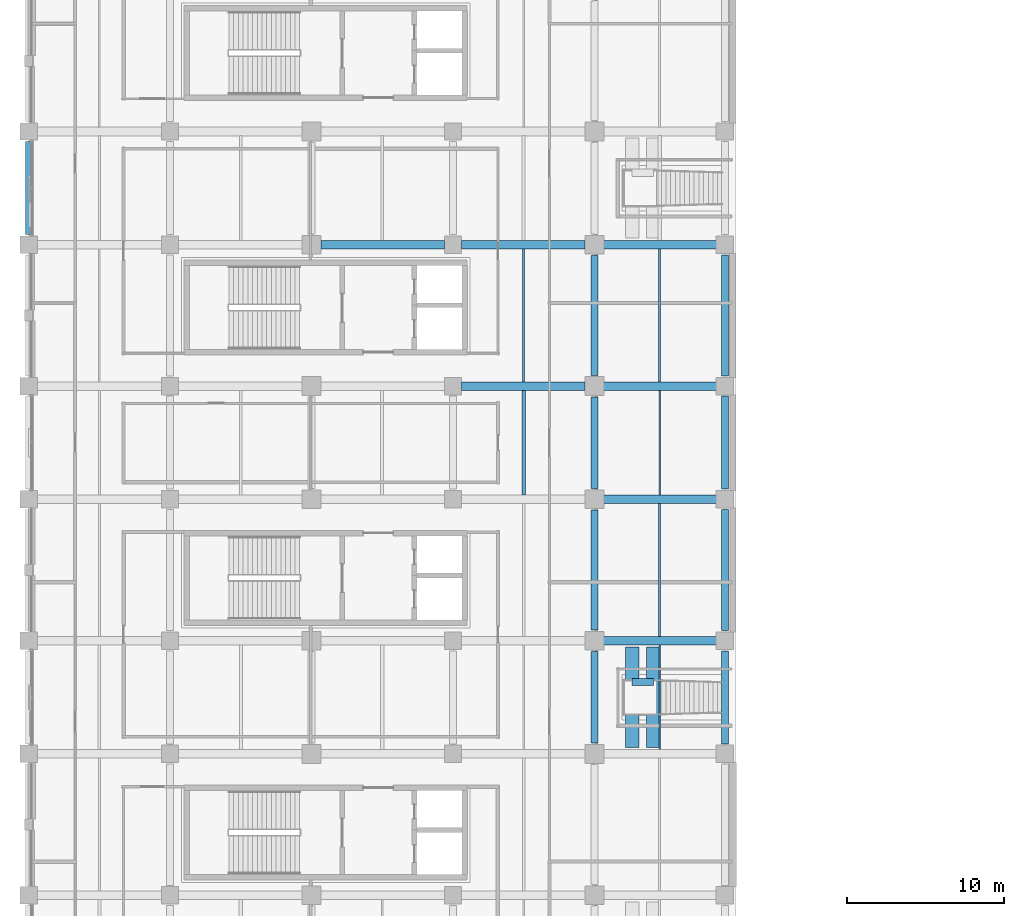
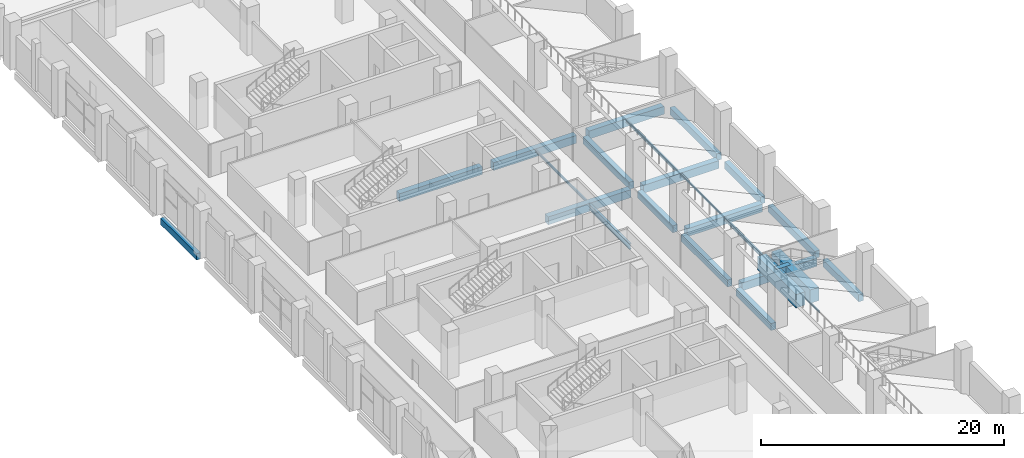
# One storey, part 15 of 100: 25 beams.
"""IFC4 building model written with IfcOpenShell, lengths in metres."""

import ifcopenshell
import ifcopenshell.guid

model = None  # the IFC model being written
_history = None  # IfcOwnerHistory: only IFC2X3 demands one
_inside = {}  # id of a spatial element -> (the spatial element, [elements in it])
_under = {}  # id of a project, library or spatial element -> (it, [spatial elements below it])
_declared = {}  # id of a project -> (the project, [libraries it declares])
_typed = {}  # id of a type object -> (the type object, [elements of that type])
_made_of = {}  # id of a material, layer set ... -> (it, [elements and type objects made of it])


def new_model(schema):
    """Start an empty IFC model of exactly this schema.

    Asked for "IFC4X3", IfcOpenShell would pick the latest addendum, in which some entities
    have other attributes; the version numbers below select the first issue.
    IFC2X3 requires an IfcOwnerHistory on every rooted entity: one is made here for all.
    """
    global model, _history
    if schema == "IFC4X3":
        model = ifcopenshell.file(schema_version=(4, 3, 0, 0))
    else:
        model = ifcopenshell.file(schema=schema)
    _inside.clear()
    _under.clear()
    _declared.clear()
    _typed.clear()
    _made_of.clear()
    _history = None
    if model.schema == "IFC2X3":
        org = make("IfcOrganization", Name="unknown")
        user = make(
            "IfcPersonAndOrganization",
            ThePerson=make("IfcPerson", FamilyName="unknown"),
            TheOrganization=org,
        )
        app = make(
            "IfcApplication",
            ApplicationDeveloper=org,
            Version="unknown",
            ApplicationFullName="unknown",
            ApplicationIdentifier="unknown",
        )
        _history = make(
            "IfcOwnerHistory",
            OwningUser=user,
            OwningApplication=app,
            ChangeAction="ADDED",
            CreationDate=0,
        )
    return model


def make(cls, **values):
    """One entity of the class cls with the attributes given. An attribute that is None is left unset."""
    return model.create_entity(
        cls, **{name: value for name, value in values.items() if value is not None}
    )


def rooted(cls, **values):
    """An entity with a GlobalId (a new one), such as an element, a storey or a relation."""
    return make(cls, GlobalId=ifcopenshell.guid.new(), OwnerHistory=_history, **values)


def si_unit(unit_type, name, prefix=None):
    """IfcSIUnit, for example si_unit("LENGTHUNIT", "METRE", prefix="MILLI")."""
    return make("IfcSIUnit", UnitType=unit_type, Prefix=prefix, Name=name)


def assignment(units):
    """IfcUnitAssignment: the units of a project."""
    return None if units is None else make("IfcUnitAssignment", Units=units)


def point(xyz):
    """IfcCartesianPoint."""
    return None if xyz is None else make("IfcCartesianPoint", Coordinates=xyz)


def direction(xyz):
    """IfcDirection."""
    return None if xyz is None else make("IfcDirection", DirectionRatios=xyz)


def frame(location, z_axis=None, x_axis=None):
    """IfcAxis2Placement3D, a coordinate frame: its origin and axes. An axis left out is left unset."""
    return make(
        "IfcAxis2Placement3D",
        Location=point(location),
        Axis=direction(z_axis),
        RefDirection=direction(x_axis),
    )


def frame_2d(location, x_axis=None):
    """IfcAxis2Placement2D, a coordinate frame in the plane: its origin and x axis."""
    return make(
        "IfcAxis2Placement2D", Location=point(location), RefDirection=direction(x_axis)
    )


def origin():
    """The frame at (0, 0, 0) with its axes left unset."""
    return frame((0.0, 0.0, 0.0))


def origin_2d():
    """The frame at (0, 0) in the plane with its x axis left unset."""
    return frame_2d((0.0, 0.0))


def place(relative_to, where):
    """IfcLocalPlacement: puts the frame where relative to a parent placement (None: the world)."""
    return make(
        "IfcLocalPlacement", PlacementRelTo=relative_to, RelativePlacement=where
    )


def context(
    kind, dimensions, precision=None, world=None, true_north=None, identifier=None
):
    """IfcGeometricRepresentationContext, for example the 3D "Model" context."""
    return make(
        "IfcGeometricRepresentationContext",
        ContextIdentifier=identifier,
        ContextType=kind,
        CoordinateSpaceDimension=dimensions,
        Precision=precision,
        WorldCoordinateSystem=world,
        TrueNorth=true_north,
    )


def subcontext(parent, identifier, kind, view, scale=None):
    """IfcGeometricRepresentationSubContext, for example "Body" below "Model"."""
    return make(
        "IfcGeometricRepresentationSubContext",
        ContextIdentifier=identifier,
        ContextType=kind,
        ParentContext=parent,
        TargetScale=scale,
        TargetView=view,
    )


def project(units=None, contexts=None):
    """IfcProject with its units and contexts."""
    return rooted(
        "IfcProject",
        Name="project",
        RepresentationContexts=contexts,
        UnitsInContext=assignment(units),
    )


def spatial(cls, under=None, at=None, **own):
    """A site, building, storey or space (cls), placed at a placement, below another one or the project."""
    s = rooted(cls, ObjectPlacement=at, **own)
    if under is not None:
        _under.setdefault(under.id(), (under, []))[1].append(s)
    return s


def profile(cls, at=None, kind="AREA", **sizes):
    """A parametric profile (cls). Its sizes go by their IFC names, for example OverallWidth=200.0."""
    return make(cls, ProfileType=kind, Position=at, **sizes)


def rectangle(**sizes):
    """IfcRectangleProfileDef."""
    return profile("IfcRectangleProfileDef", **sizes)


def hollow_rectangle(**sizes):
    """IfcRectangleHollowProfileDef."""
    return profile("IfcRectangleHollowProfileDef", **sizes)


def i_section(**sizes):
    """IfcIShapeProfileDef."""
    return profile("IfcIShapeProfileDef", **sizes)


def extrude(swept, where, along, depth):
    """IfcExtrudedAreaSolid: the profile swept, set in the frame where, extruded along a direction by depth."""
    return make(
        "IfcExtrudedAreaSolid",
        SweptArea=swept,
        Position=where,
        ExtrudedDirection=direction(along),
        Depth=depth,
    )


def shape(context_of_items, identifier, shape_type, items):
    """IfcShapeRepresentation: the items that make up one representation, for example the "Body"."""
    return make(
        "IfcShapeRepresentation",
        ContextOfItems=context_of_items,
        RepresentationIdentifier=identifier,
        RepresentationType=shape_type,
        Items=items,
    )


def material(Name=None, Category=None):
    """IfcMaterial."""
    return make("IfcMaterial", Name=Name, Category=Category)


def material_profile(
    of_material, cross_section, Name=None, Category=None, Priority=None
):
    """IfcMaterialProfile: a cross section and its material."""
    return make(
        "IfcMaterialProfile",
        Name=Name,
        Material=of_material,
        Profile=cross_section,
        Priority=Priority,
        Category=Category,
    )


def profile_set(profiles, Name=None, composite=None):
    """IfcMaterialProfileSet."""
    return make(
        "IfcMaterialProfileSet",
        Name=Name,
        MaterialProfiles=profiles,
        CompositeProfile=composite,
    )


def made_of(thing, what):
    """Note that an element or type object is made of a material, layer set ...; save() writes the relation."""
    if what is not None:
        _made_of.setdefault(what.id(), (what, []))[1].append(thing)
    return thing


def type_object(cls, material=None, **own):
    """A type object (cls), such as IfcWallType, which elements share."""
    return made_of(rooted(cls, **own), material)


def element(
    cls,
    number,
    at=None,
    inside=None,
    cuts=None,
    type_object=None,
    material=None,
    context=None,
    identifier="Body",
    shape_type=None,
    held_by="IfcProductDefinitionShape",
    body=None,
    shapes=None,
    **own,
):
    """One element of the class cls, such as IfcWall. Its Tag is "e" and its number.

    at: its placement. inside: the storey or other place that contains it. cuts: it is an
    opening in that element (IfcRelVoidsElement). A single representation is given by context,
    identifier, shape_type and body (its items); several are given by shapes. held_by: the class
    of the entity that holds the representations. save() writes the other relations.
    """
    e = rooted(cls, Tag="e%d" % number, ObjectPlacement=at, **own)
    if body is not None:
        shapes = [shape(context, identifier, shape_type, body)]
    if shapes is not None:
        e.Representation = make(held_by, Representations=shapes)
    if inside is not None:
        _inside.setdefault(inside.id(), (inside, []))[1].append(e)
    if cuts is not None:
        rooted(
            "IfcRelVoidsElement", RelatingBuildingElement=cuts, RelatedOpeningElement=e
        )
    if type_object is not None:
        _typed.setdefault(type_object.id(), (type_object, []))[1].append(e)
    return made_of(e, material)


def aggregate(whole, parts):
    """IfcRelAggregates: a whole, such as a stair, and the parts it consists of."""
    return rooted("IfcRelAggregates", RelatingObject=whole, RelatedObjects=parts)


def save(model, path):
    """Write the relations noted so far, then the file.

    IfcRelAggregates (storeys below a building ...), IfcRelContainedInSpatialStructure (elements
    in a storey), IfcRelDefinesByType, IfcRelAssociatesMaterial and IfcRelDeclares: one each for
    every whole, place, type object, material and project.
    """
    for whole, parts in _under.values():
        aggregate(whole, parts)
    for where, things in _inside.values():
        rooted(
            "IfcRelContainedInSpatialStructure",
            RelatedElements=things,
            RelatingStructure=where,
        )
    for kind, things in _typed.values():
        rooted("IfcRelDefinesByType", RelatedObjects=things, RelatingType=kind)
    for what, things in _made_of.values():
        rooted("IfcRelAssociatesMaterial", RelatedObjects=things, RelatingMaterial=what)
    for by, libraries in _declared.values():
        rooted("IfcRelDeclares", RelatingContext=by, RelatedDefinitions=libraries)
    model.write(path)


model = new_model("IFC4")

# Units and contexts
model_context = context("Model", 3, precision=1e-05, world=origin(), true_north=direction((0.0, 1.0)))
body_context = subcontext(model_context, "Body", "Model", "MODEL_VIEW")
ifc_project = project(units=[si_unit("LENGTHUNIT", "METRE"), si_unit("AREAUNIT", "SQUARE_METRE"), si_unit("VOLUMEUNIT", "CUBIC_METRE"), si_unit("PLANEANGLEUNIT", "RADIAN"), si_unit("MASSUNIT", "GRAM", prefix="KILO"), si_unit("THERMODYNAMICTEMPERATUREUNIT", "KELVIN"), si_unit("POWERUNIT", "WATT")], contexts=[model_context])

# Site, building, storey
site_placement = place(None, origin())
site = spatial("IfcSite", under=ifc_project, at=site_placement, CompositionType="ELEMENT")
building_placement = place(site_placement, origin())
building = spatial("IfcBuilding", under=site, at=building_placement, Name="Sindhuravela Promenade Stadium", CompositionType="ELEMENT")
storey_placement = place(building_placement, frame((0.0, 0.0, 4.800048828125)))
storey = spatial("IfcBuildingStorey", under=building, at=storey_placement, Name="L01", CompositionType="ELEMENT", Elevation=4.800048828125)

# Beams
ifc_material_1 = material(Name="Concrete M40", Category="concrete")
ifc_material_profile_1 = material_profile(ifc_material_1, rectangle(XDim=0.39990234375, YDim=0.64990234375, at=origin_2d()), Name="RC 400x650")
ifc_profile_set_1 = profile_set([ifc_material_profile_1], Name="Concrete M40")
beam_type_1 = type_object("IfcBeamType", Name="RC-BM-400x650", PredefinedType="SPANDREL", material=ifc_profile_set_1)
beam_1_placement = place(storey_placement, frame((0.0, 94.239990234375, -0.625), z_axis=(0.0, 1.0, 0.0), x_axis=(-1.0, 0.0, 0.0)))
element("IfcBeam", 1, at=beam_1_placement, inside=storey, type_object=beam_type_1, Name="Primary beam SP01 WEST L01", PredefinedType="SPANDREL", context=body_context, shape_type="SweptSolid", body=[
    extrude(rectangle(XDim=0.39990234375, YDim=0.64990234375, at=origin_2d()), origin(), (0.0, 0.0, 1.0), 5.919921875),
])
ifc_material_profile_2 = material_profile(ifc_material_1, rectangle(XDim=0.449951171875, YDim=0.699951171875, at=origin_2d()), Name="RC 450x700")
ifc_profile_set_2 = profile_set([ifc_material_profile_2], Name="Concrete M40")
beam_type_2 = type_object("IfcBeamType", Name="RC-BM-450x700", PredefinedType="BEAM", material=ifc_profile_set_2)
beam_2_placement = place(storey_placement, frame((36.0, 61.889892578125, -0.650146484375), z_axis=(0.0, 1.0, 0.0), x_axis=(-1.0, 0.0, 0.0)))
element("IfcBeam", 2, at=beam_2_placement, inside=storey, type_object=beam_type_2, Name="Primary beam GB07 WEST L01", PredefinedType="BEAM", context=body_context, shape_type="SweptSolid", body=[
    extrude(rectangle(XDim=0.449951171875, YDim=0.699951171875, at=origin_2d()), origin(), (0.0, 0.0, 1.0), 5.820068359375),
])
beam_3_placement = place(storey_placement, frame((36.0, 69.090087890625, -0.650146484375), z_axis=(0.0, 1.0, 0.0), x_axis=(-1.0, 0.0, 0.0)))
element("IfcBeam", 3, at=beam_3_placement, inside=storey, type_object=beam_type_2, Name="Primary beam GB07 WEST L01", PredefinedType="BEAM", context=body_context, shape_type="SweptSolid", body=[
    extrude(rectangle(XDim=0.449951171875, YDim=0.699951171875, at=origin_2d()), origin(), (0.0, 0.0, 1.0), 7.619873046875),
])
beam_4_placement = place(storey_placement, frame((36.0, 78.090087890625, -0.650146484375), z_axis=(0.0, 1.0, 0.0), x_axis=(-1.0, 0.0, 0.0)))
element("IfcBeam", 4, at=beam_4_placement, inside=storey, type_object=beam_type_2, Name="Primary beam GB07 WEST L01", PredefinedType="BEAM", context=body_context, shape_type="SweptSolid", body=[
    extrude(rectangle(XDim=0.449951171875, YDim=0.699951171875, at=origin_2d()), origin(), (0.0, 0.0, 1.0), 5.81982421875),
])
beam_5_placement = place(storey_placement, frame((36.0, 85.2900390625, -0.650146484375), z_axis=(0.0, 1.0, 0.0), x_axis=(-1.0, 0.0, 0.0)))
element("IfcBeam", 5, at=beam_5_placement, inside=storey, type_object=beam_type_2, Name="Primary beam GB07 WEST L01", PredefinedType="BEAM", context=body_context, shape_type="SweptSolid", body=[
    extrude(rectangle(XDim=0.449951171875, YDim=0.699951171875, at=origin_2d()), origin(), (0.0, 0.0, 1.0), 7.619873046875),
])
beam_6_placement = place(storey_placement, frame((44.300048828125, 61.840087890625, -0.650146484375), z_axis=(0.0, 1.0, 0.0), x_axis=(-1.0, 0.0, 0.0)))
element("IfcBeam", 6, at=beam_6_placement, inside=storey, type_object=beam_type_2, Name="Primary beam GB07 WEST L01", PredefinedType="BEAM", context=body_context, shape_type="SweptSolid", body=[
    extrude(rectangle(XDim=0.449951171875, YDim=0.699951171875, at=origin_2d()), origin(), (0.0, 0.0, 1.0), 5.919921875),
])
beam_7_placement = place(storey_placement, frame((44.300048828125, 69.0400390625, -0.650146484375), z_axis=(0.0, 1.0, 0.0), x_axis=(-1.0, 0.0, 0.0)))
element("IfcBeam", 7, at=beam_7_placement, inside=storey, type_object=beam_type_2, Name="Primary beam GB07 WEST L01", PredefinedType="BEAM", context=body_context, shape_type="SweptSolid", body=[
    extrude(rectangle(XDim=0.449951171875, YDim=0.699951171875, at=origin_2d()), origin(), (0.0, 0.0, 1.0), 7.719970703125),
])
beam_8_placement = place(storey_placement, frame((44.300048828125, 78.0400390625, -0.650146484375), z_axis=(0.0, 1.0, 0.0), x_axis=(-1.0, 0.0, 0.0)))
element("IfcBeam", 8, at=beam_8_placement, inside=storey, type_object=beam_type_2, Name="Primary beam GB07 WEST L01", PredefinedType="BEAM", context=body_context, shape_type="SweptSolid", body=[
    extrude(rectangle(XDim=0.449951171875, YDim=0.699951171875, at=origin_2d()), origin(), (0.0, 0.0, 1.0), 5.919921875),
])
beam_9_placement = place(storey_placement, frame((44.300048828125, 85.239990234375, -0.650146484375), z_axis=(0.0, 1.0, 0.0), x_axis=(-1.0, 0.0, 0.0)))
element("IfcBeam", 9, at=beam_9_placement, inside=storey, type_object=beam_type_2, Name="Primary beam GB07 WEST L01", PredefinedType="BEAM", context=body_context, shape_type="SweptSolid", body=[
    extrude(rectangle(XDim=0.449951171875, YDim=0.699951171875, at=origin_2d()), origin(), (0.0, 0.0, 1.0), 7.719970703125),
])
beam_10_placement = place(storey_placement, frame((39.75, 65.780029296875, 1.655029296875), z_axis=(-1.0, 0.0, 0.0), x_axis=(0.0, -1.0, 0.0)))
element("IfcBeam", 10, at=beam_10_placement, inside=storey, type_object=beam_type_2, Name="Vomitory VS02 landing edge stringer", PredefinedType="BEAM", context=body_context, shape_type="SweptSolid", body=[
    extrude(rectangle(XDim=0.449951171875, YDim=0.699951171875, at=origin_2d()), origin(), (0.0, 0.0, 1.0), 1.35009765625),
])
ifc_material_profile_3 = material_profile(ifc_material_1, rectangle(XDim=0.550048828125, YDim=0.800048828125, at=origin_2d()), Name="RC 550x800")
ifc_profile_set_3 = profile_set([ifc_material_profile_3], Name="Concrete M40")
beam_type_3 = type_object("IfcBeamType", Name="RC-BM-550x800", PredefinedType="BEAM", material=ifc_profile_set_3)
for number, where, z_axis, x_axis, name in (
    (11, (36.590087890625, 68.39990234375, -0.699951171875), (1.0, 0.0, 0.0), (0.0, 1.0, 0.0), "Primary girder GB05 WEST L01"),
    (12, (36.590087890625, 77.39990234375, -0.699951171875), (1.0, 0.0, 0.0), (0.0, 1.0, 0.0), "Primary girder GB05 WEST L01"),
):
    element("IfcBeam", number, at=place(storey_placement, frame(where, z_axis=z_axis, x_axis=x_axis)), inside=storey, type_object=beam_type_3, Name=name, PredefinedType="BEAM", context=body_context, shape_type="SweptSolid", body=[
        extrude(rectangle(XDim=0.550048828125, YDim=0.800048828125, at=origin_2d()), origin(), (0.0, 0.0, 1.0), 7.169921875),
    ])
beam_11_placement = place(storey_placement, frame((27.5400390625, 84.60009765625, -0.699951171875), z_axis=(1.0, 0.0, 0.0), x_axis=(0.0, 1.0, 0.0)))
element("IfcBeam", 13, at=beam_11_placement, inside=storey, type_object=beam_type_3, Name="Primary girder GB05 WEST L01", PredefinedType="BEAM", context=body_context, shape_type="SweptSolid", body=[
    extrude(rectangle(XDim=0.550048828125, YDim=0.800048828125, at=origin_2d()), origin(), (0.0, 0.0, 1.0), 7.869873046875),
])
beam_12_placement = place(storey_placement, frame((36.590087890625, 84.60009765625, -0.699951171875), z_axis=(1.0, 0.0, 0.0), x_axis=(0.0, 1.0, 0.0)))
element("IfcBeam", 14, at=beam_12_placement, inside=storey, type_object=beam_type_3, Name="Primary girder GB05 WEST L01", PredefinedType="BEAM", context=body_context, shape_type="SweptSolid", body=[
    extrude(rectangle(XDim=0.550048828125, YDim=0.800048828125, at=origin_2d()), origin(), (0.0, 0.0, 1.0), 7.169921875),
])
for number, where, z_axis, x_axis, name in (
    (15, (18.590087890625, 93.60009765625, -0.699951171875), (1.0, 0.0, 0.0), (0.0, 1.0, 0.0), "Primary girder GB05 WEST L01"),
    (16, (27.5400390625, 93.60009765625, -0.699951171875), (1.0, 0.0, 0.0), (0.0, 1.0, 0.0), "Primary girder GB05 WEST L01"),
):
    element("IfcBeam", number, at=place(storey_placement, frame(where, z_axis=z_axis, x_axis=x_axis)), inside=storey, type_object=beam_type_3, Name=name, PredefinedType="BEAM", context=body_context, shape_type="SweptSolid", body=[
        extrude(rectangle(XDim=0.550048828125, YDim=0.800048828125, at=origin_2d()), origin(), (0.0, 0.0, 1.0), 7.869873046875),
    ])
beam_13_placement = place(storey_placement, frame((36.590087890625, 93.60009765625, -0.699951171875), z_axis=(1.0, 0.0, 0.0), x_axis=(0.0, 1.0, 0.0)))
element("IfcBeam", 17, at=beam_13_placement, inside=storey, type_object=beam_type_3, Name="Primary girder GB05 WEST L01", PredefinedType="BEAM", context=body_context, shape_type="SweptSolid", body=[
    extrude(rectangle(XDim=0.550048828125, YDim=0.800048828125, at=origin_2d()), origin(), (0.0, 0.0, 1.0), 7.169921875),
])
ifc_material_2 = material(Name="Concrete M50", Category="concrete")
ifc_material_profile_4 = material_profile(ifc_material_2, rectangle(XDim=0.85009765625, YDim=1.35009765625, at=origin_2d()), Name="RC 850x1350")
ifc_profile_set_4 = profile_set([ifc_material_profile_4], Name="Concrete M50")
beam_type_4 = type_object("IfcBeamType", Name="RC-RK-850x1350", PredefinedType="USERDEFINED", material=ifc_profile_set_4)
for number, where, z_axis, x_axis, name in (
    (18, (39.75, 61.614990234375, 1.329833984375), (0.0, 1.0, 0.0), (-1.0, 0.0, 0.0), "Vomitory VS02 landing trimmer beam 1"),
    (19, (38.39990234375, 61.614990234375, 1.329833984375), (0.0, 1.0, 0.0), (-1.0, 0.0, 0.0), "Vomitory VS02 landing trimmer beam 2"),
):
    element("IfcBeam", number, at=place(storey_placement, frame(where, z_axis=z_axis, x_axis=x_axis)), inside=storey, type_object=beam_type_4, Name=name, ObjectType="RAKER", PredefinedType="USERDEFINED", context=body_context, shape_type="SweptSolid", body=[
        extrude(rectangle(XDim=0.85009765625, YDim=1.35009765625, at=origin_2d()), origin(), (0.0, 0.0, 1.0), 6.3701171875),
    ])
ifc_material_3 = material(Name="Steel E350 (IS 2062 E350BR)", Category="steel")
ifc_material_profile_5 = material_profile(ifc_material_3, hollow_rectangle(XDim=0.10009765625, YDim=0.199951171875, WallThickness=0.008056640625, at=origin_2d()), Name="RHS 200x100x8")
ifc_profile_set_5 = profile_set([ifc_material_profile_5], Name="Steel E350 (IS 2062 E350BR)")
beam_type_5 = type_object("IfcBeamType", Name="ST-BM-LNT200", PredefinedType="LINTEL", material=ifc_profile_set_5)
beam_14_placement = place(storey_placement, frame((40.14990234375, 77.6650390625, -0.400146484375), z_axis=(0.0, 1.0, 0.0), x_axis=(-1.0, 0.0, 0.0)))
element("IfcBeam", 20, at=beam_14_placement, inside=storey, type_object=beam_type_5, Name="Secondary floor joist LN01 WEST L01", PredefinedType="LINTEL", context=body_context, shape_type="SweptSolid", body=[
    extrude(hollow_rectangle(XDim=0.10009765625, YDim=0.199951171875, WallThickness=0.008056640625, at=origin_2d()), origin(), (0.0, 0.0, 1.0), 6.669921875),
])
ifc_material_profile_6 = material_profile(ifc_material_3, i_section(OverallWidth=0.10009765625, OverallDepth=0.199951171875, WebThickness=0.005615234375, FlangeThickness=0.0107421875, FilletRadius=0.010986328125, at=origin_2d()), Name="ISMB 200")
ifc_profile_set_6 = profile_set([ifc_material_profile_6], Name="Steel E350 (IS 2062 E350BR)")
beam_type_6 = type_object("IfcBeamType", Name="ST-BM-MB200", PredefinedType="JOIST", material=ifc_profile_set_6)
beam_15_placement = place(storey_placement, frame((40.14990234375, 61.465087890625, -0.400146484375), z_axis=(0.0, 1.0, 0.0), x_axis=(-1.0, 0.0, 0.0)))
element("IfcBeam", 21, at=beam_15_placement, inside=storey, type_object=beam_type_6, Name="Secondary floor joist SB01 WEST L01", PredefinedType="JOIST", context=body_context, shape_type="SweptSolid", body=[
    extrude(i_section(OverallWidth=0.10009765625, OverallDepth=0.199951171875, WebThickness=0.005615234375, FlangeThickness=0.0107421875, FilletRadius=0.010986328125, at=origin_2d()), origin(), (0.0, 0.0, 1.0), 6.669921875),
])
ifc_material_profile_7 = material_profile(ifc_material_3, i_section(OverallWidth=0.125, OverallDepth=0.25, WebThickness=0.0068359375, FlangeThickness=0.012451171875, FilletRadius=0.012939453125, at=origin_2d()), Name="ISMB 250")
ifc_profile_set_7 = profile_set([ifc_material_profile_7], Name="Steel E350 (IS 2062 E350BR)")
beam_type_7 = type_object("IfcBeamType", Name="ST-BM-MB250", PredefinedType="JOIST", material=ifc_profile_set_7)
beam_16_placement = place(storey_placement, frame((31.5, 84.864990234375, -0.425048828125), z_axis=(0.0, 1.0, 0.0), x_axis=(-1.0, 0.0, 0.0)))
element("IfcBeam", 22, at=beam_16_placement, inside=storey, type_object=beam_type_7, Name="Secondary floor joist SB02 WEST L01", PredefinedType="JOIST", context=body_context, shape_type="SweptSolid", body=[
    extrude(i_section(OverallWidth=0.125, OverallDepth=0.25, WebThickness=0.0068359375, FlangeThickness=0.012451171875, FilletRadius=0.012939453125, at=origin_2d()), origin(), (0.0, 0.0, 1.0), 8.469970703125),
])
ifc_material_profile_8 = material_profile(ifc_material_3, i_section(OverallWidth=0.139892578125, OverallDepth=0.300048828125, WebThickness=0.0078125, FlangeThickness=0.01318359375, FilletRadius=0.013916015625, at=origin_2d()), Name="ISMB 300")
ifc_profile_set_8 = profile_set([ifc_material_profile_8], Name="Steel E350 (IS 2062 E350BR)")
beam_type_8 = type_object("IfcBeamType", Name="ST-BM-MB300", PredefinedType="JOIST", material=ifc_profile_set_8)
beam_17_placement = place(storey_placement, frame((40.14990234375, 84.864990234375, -0.449951171875), z_axis=(0.0, 1.0, 0.0), x_axis=(-1.0, 0.0, 0.0)))
element("IfcBeam", 23, at=beam_17_placement, inside=storey, type_object=beam_type_8, Name="Secondary floor joist SB03 WEST L01", PredefinedType="JOIST", context=body_context, shape_type="SweptSolid", body=[
    extrude(i_section(OverallWidth=0.139892578125, OverallDepth=0.300048828125, WebThickness=0.0078125, FlangeThickness=0.01318359375, FilletRadius=0.013916015625, at=origin_2d()), origin(), (0.0, 0.0, 1.0), 8.469970703125),
])
ifc_material_profile_9 = material_profile(ifc_material_3, i_section(OverallWidth=0.139892578125, OverallDepth=0.35009765625, WebThickness=0.008056640625, FlangeThickness=0.01416015625, FilletRadius=0.013916015625, at=origin_2d()), Name="ISMB 350")
ifc_profile_set_9 = profile_set([ifc_material_profile_9], Name="Steel E350 (IS 2062 E350BR)")
beam_type_9 = type_object("IfcBeamType", Name="ST-BM-MB350", PredefinedType="JOIST", material=ifc_profile_set_9)
beam_18_placement = place(storey_placement, frame((40.14990234375, 68.6650390625, -0.47509765625), z_axis=(0.0, 1.0, 0.0), x_axis=(-1.0, 0.0, 0.0)))
element("IfcBeam", 24, at=beam_18_placement, inside=storey, type_object=beam_type_9, Name="Secondary floor joist SB04 WEST L01", PredefinedType="JOIST", context=body_context, shape_type="SweptSolid", body=[
    extrude(i_section(OverallWidth=0.139892578125, OverallDepth=0.35009765625, WebThickness=0.008056640625, FlangeThickness=0.01416015625, FilletRadius=0.013916015625, at=origin_2d()), origin(), (0.0, 0.0, 1.0), 8.469970703125),
])
ifc_material_profile_10 = material_profile(ifc_material_3, i_section(OverallWidth=0.2099609375, OverallDepth=0.60009765625, WebThickness=0.011962890625, FlangeThickness=0.020751953125, FilletRadius=0.02001953125, at=origin_2d()), Name="ISMB 600")
ifc_profile_set_10 = profile_set([ifc_material_profile_10], Name="Steel E350 (IS 2062 E350BR)")
beam_type_10 = type_object("IfcBeamType", Name="ST-BM-MB600", PredefinedType="BEAM", material=ifc_profile_set_10)
beam_19_placement = place(storey_placement, frame((31.5, 77.6650390625, -0.60009765625), z_axis=(0.0, 1.0, 0.0), x_axis=(-1.0, 0.0, 0.0)))
element("IfcBeam", 25, at=beam_19_placement, inside=storey, type_object=beam_type_10, Name="Secondary floor joist SB09 WEST L01", PredefinedType="BEAM", context=body_context, shape_type="SweptSolid", body=[
    extrude(i_section(OverallWidth=0.2099609375, OverallDepth=0.60009765625, WebThickness=0.011962890625, FlangeThickness=0.020751953125, FilletRadius=0.02001953125, at=origin_2d()), origin(), (0.0, 0.0, 1.0), 6.669921875),
])

save(model, "model.ifc")
